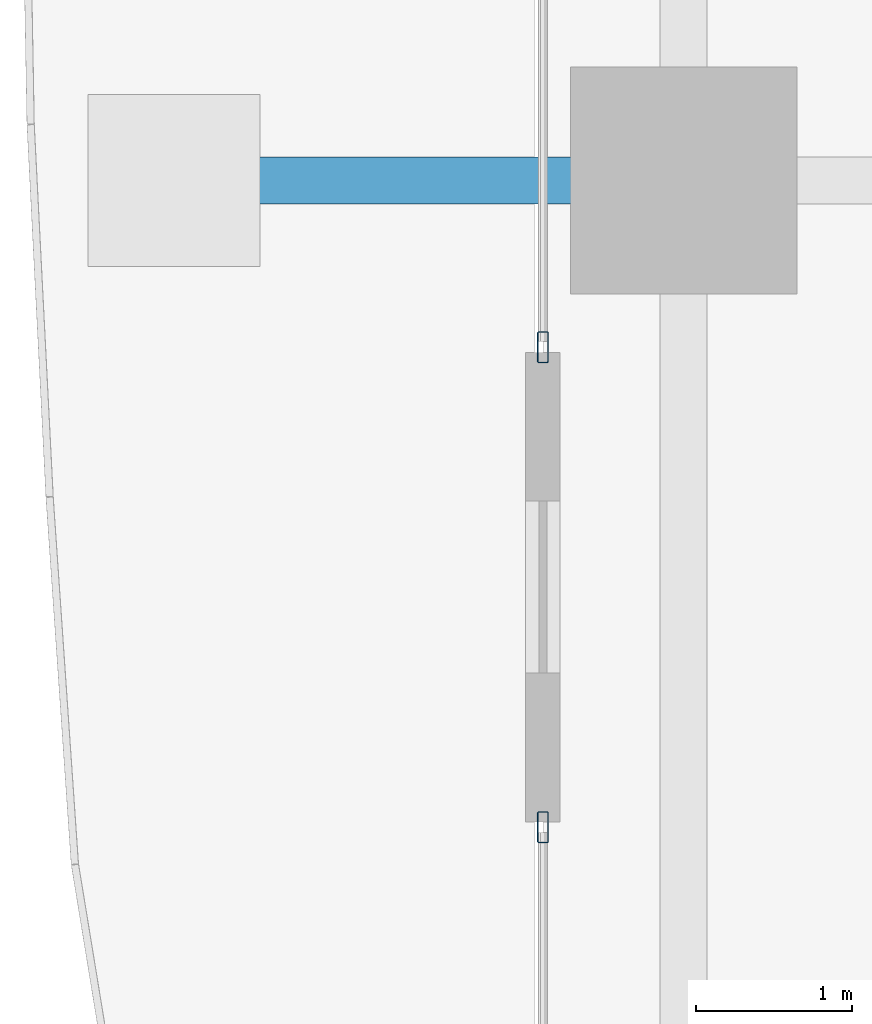
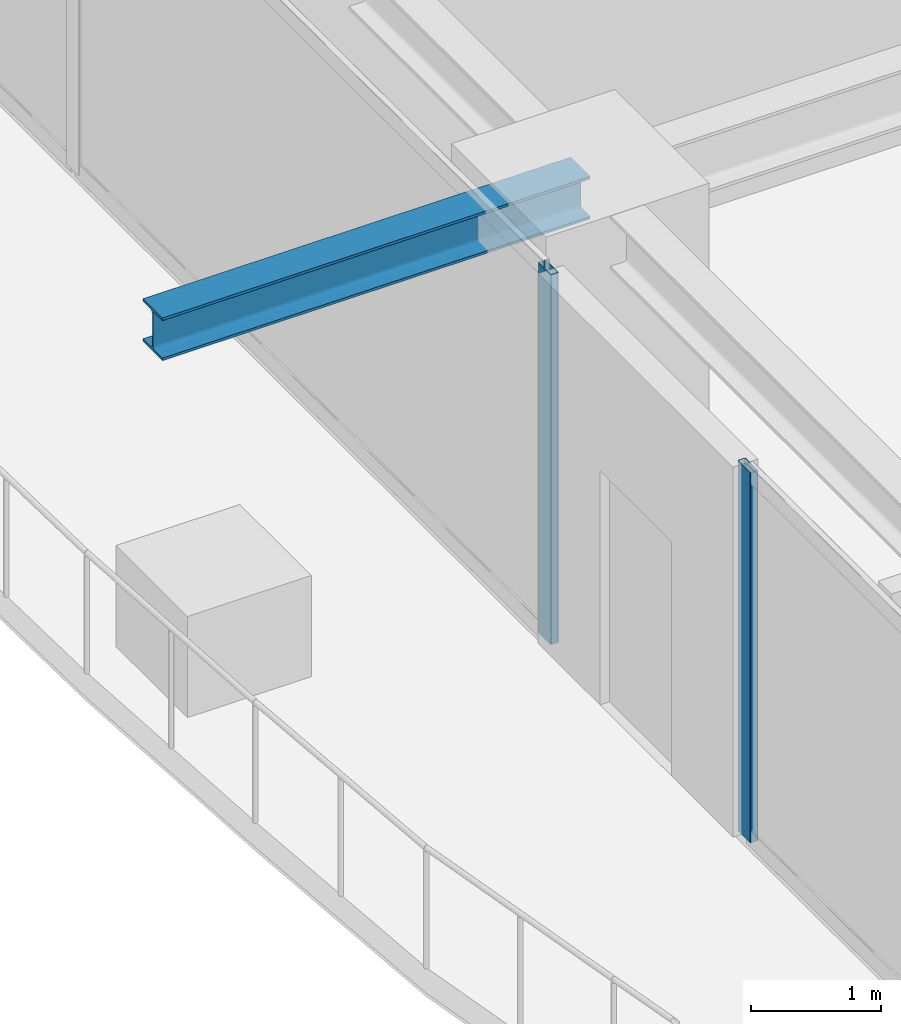
# One storey, part 6 of 36: 2 members, 1 beam, 2 elements without a shape of their own.
"""IFC4 building model written with IfcOpenShell, lengths in metres."""

from ifc_helpers import new_model, si_unit, direction, frame, origin, origin_2d, place, context, subcontext, project, spatial, hollow_rectangle, i_section, extrude, source, transform, mapped, material, layer, layer_set, material_profile, profile_set, type_object, element, aggregate, save


model = new_model("IFC4")

# Units and contexts
model_context = context("Model", 3, precision=1e-05, world=origin(), true_north=direction((0.0, 1.0)))
body_context = subcontext(model_context, "Body", "Model", "MODEL_VIEW")
ifc_project = project(units=[si_unit("LENGTHUNIT", "METRE"), si_unit("AREAUNIT", "SQUARE_METRE"), si_unit("VOLUMEUNIT", "CUBIC_METRE"), si_unit("PLANEANGLEUNIT", "RADIAN"), si_unit("MASSUNIT", "GRAM", prefix="KILO")], contexts=[model_context])

# Site, building, storey
site_placement = place(None, origin())
site = spatial("IfcSite", under=ifc_project, at=site_placement, CompositionType="ELEMENT")
building_placement = place(site_placement, origin())
building = spatial("IfcBuilding", under=site, at=building_placement, Name="Serunith Strait Residences", CompositionType="ELEMENT")
storey_placement = place(building_placement, frame((0.0, 0.0, 86.699951171875)))
storey = spatial("IfcBuildingStorey", under=building, at=storey_placement, Name="L21", CompositionType="ELEMENT", Elevation=86.699951171875)

# Beam
ifc_material_1 = material(Name="Steel S355J2", Category="steel")
ifc_material_profile_1 = material_profile(ifc_material_1, i_section(OverallWidth=0.300048828125, OverallDepth=0.39990234375, WebThickness=0.013427734375, FlangeThickness=0.02392578125, FilletRadius=0.027099609375, at=origin_2d()), Name="HEB 400")
ifc_profile_set_1 = profile_set([ifc_material_profile_1], Name="Steel S355J2")
beam_type = type_object("IfcBeamType", Name="BM-HEB400", PredefinedType="BEAM", material=ifc_profile_set_1)
shared_shape_1 = source(origin(), body_context, "Body", "SweptSolid", [
    extrude(i_section(OverallWidth=0.300048828125, OverallDepth=0.39990234375, WebThickness=0.013427734375, FlangeThickness=0.02392578125, FilletRadius=0.027099609375, at=origin_2d()), origin(), (0.0, 0.0, 1.0), 3.7998046875),
])
beam_placement = place(storey_placement, frame((6.89990234375, 21.0, 3.257080078125), z_axis=(-1.0, 0.0, 0.0), x_axis=(0.0, -1.0, 0.0)))
element("IfcBeam", 1, at=beam_placement, inside=storey, type_object=beam_type, Name="L22 Cantilevered Balcony Rib TC-W2", PredefinedType="BEAM", context=body_context, shape_type="MappedRepresentation", body=[
    mapped(shared_shape_1, transform((0.0, 0.0, 0.0), scale=1.0)),
])

# Curtain wall, member
ifc_material_2 = material(Name="Pale-Champagne Anodised Aluminium", Category="aluminium")
ifc_layer = layer(ifc_material_2, 0.199951171875, Name="Pale-Champagne Anodised Aluminium")
ifc_layer_set = layer_set([ifc_layer], Name="Pale-Champagne Anodised Aluminium")
curtain_wall_type = type_object("IfcCurtainWallType", Name="CW-SYS1", PredefinedType="NOTDEFINED", material=ifc_layer_set)
curtain_wall_1_placement = place(storey_placement, origin())
curtain_wall_1 = element("IfcCurtainWall", 2, at=curtain_wall_1_placement, inside=storey, type_object=curtain_wall_type, Name="L21 W Unitised Fritted Curtain Wall", PredefinedType="NOTDEFINED")
ifc_material_profile_2 = material_profile(ifc_material_2, hollow_rectangle(XDim=0.070068359375, YDim=0.199951171875, WallThickness=0.00390625, InnerFilletRadius=0.006103515625, OuterFilletRadius=0.010009765625, at=origin_2d()), Name="ALU 200x70x4")
ifc_profile_set_2 = profile_set([ifc_material_profile_2], Name="Pale-Champagne Anodised Aluminium")
member_type = type_object("IfcMemberType", Name="CW-SYS1-MULL", PredefinedType="MULLION", material=ifc_profile_set_2)
shared_shape_2 = source(origin(), body_context, "Body", "SweptSolid", [
    extrude(hollow_rectangle(XDim=0.070068359375, YDim=0.199951171875, WallThickness=0.00390625, InnerFilletRadius=0.006103515625, OuterFilletRadius=0.010009765625, at=origin_2d()), origin(), (0.0, 0.0, 1.0), 3.47509765625),
])
member_1_placement = place(storey_placement, frame((6.0, 19.93505859375, 0.0), z_axis=(0.0, 0.0, 1.0), x_axis=(1.0, 0.0, 0.0)))
member_1 = element("IfcMember", 3, at=member_1_placement, type_object=member_type, Name="CW-1 mullion 4", PredefinedType="MULLION", context=body_context, shape_type="MappedRepresentation", body=[
    mapped(shared_shape_2, transform((0.0, 0.0, 0.0), scale=1.0)),
])
aggregate(curtain_wall_1, [member_1])

curtain_wall_2_placement = place(storey_placement, origin())
curtain_wall_2 = element("IfcCurtainWall", 4, at=curtain_wall_2_placement, inside=storey, type_object=curtain_wall_type, Name="L21 W Unitised Fritted Curtain Wall", PredefinedType="NOTDEFINED")
member_2_placement = place(storey_placement, frame((6.0, 16.864990234375, 0.0), z_axis=(0.0, 0.0, 1.0), x_axis=(1.0, 0.0, 0.0)))
member_2 = element("IfcMember", 5, at=member_2_placement, type_object=member_type, Name="CW-1 mullion 1", PredefinedType="MULLION", context=body_context, shape_type="MappedRepresentation", body=[
    mapped(shared_shape_2, transform((0.0, 0.0, 0.0), scale=1.0)),
])
aggregate(curtain_wall_2, [member_2])

save(model, "model.ifc")
